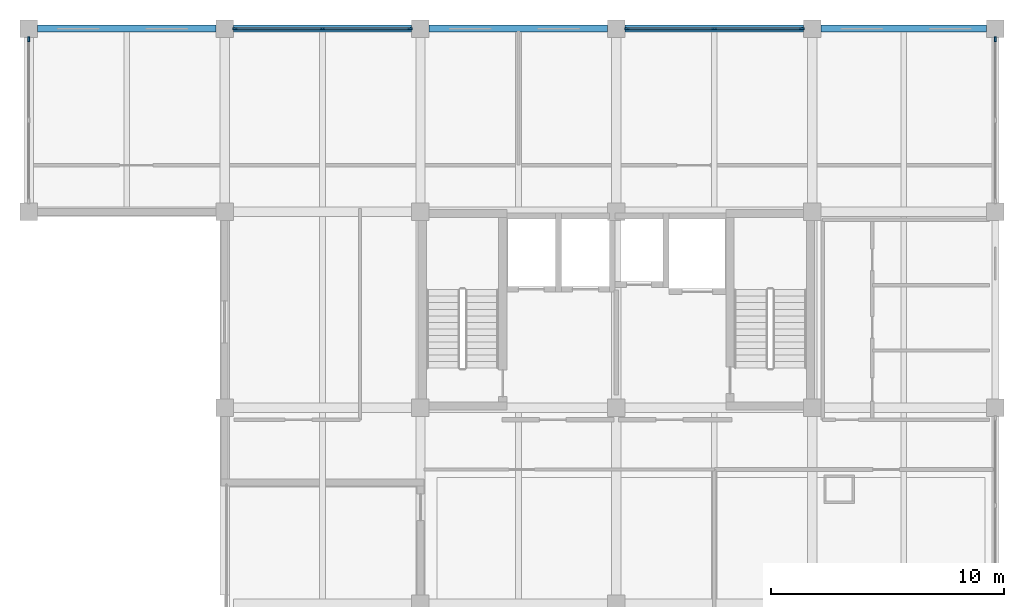
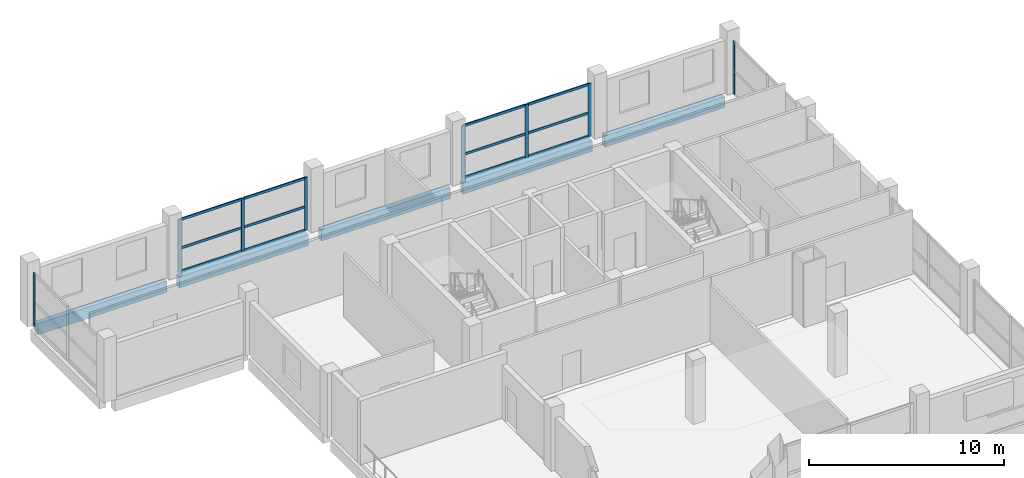
# One storey, part 5 of 10: 20 members, 5 beams, 4 elements without a shape of their own.
"""IFC4 building model written with IfcOpenShell, lengths in metres."""

from ifc_helpers import new_model, si_unit, direction, frame, origin, origin_2d, place, context, subcontext, project, spatial, rectangle, extrude, material, material_profile, profile_set, type_object, element, aggregate, save


model = new_model("IFC4")

# Units and contexts
model_context = context("Model", 3, precision=1e-05, world=origin(), true_north=direction((0.0, 1.0)))
body_context = subcontext(model_context, "Body", "Model", "MODEL_VIEW")
ifc_project = project(units=[si_unit("LENGTHUNIT", "METRE"), si_unit("AREAUNIT", "SQUARE_METRE"), si_unit("VOLUMEUNIT", "CUBIC_METRE"), si_unit("PLANEANGLEUNIT", "RADIAN"), si_unit("MASSUNIT", "GRAM", prefix="KILO")], contexts=[model_context])

# Site, building, storey
site_placement = place(None, origin())
site = spatial("IfcSite", under=ifc_project, at=site_placement, CompositionType="ELEMENT")
building_placement = place(site_placement, origin())
building = spatial("IfcBuilding", under=site, at=building_placement, Name="Brinegate Botanical Conservatory", CompositionType="ELEMENT")
storey_placement = place(building_placement, frame((0.0, 0.0, 44.39990234375)))
storey = spatial("IfcBuildingStorey", under=building, at=storey_placement, Name="L11", CompositionType="ELEMENT", Elevation=44.39990234375)

# Beams
ifc_material_1 = material(Name="Concrete C40/50", Category="concrete")
ifc_material_profile_1 = material_profile(ifc_material_1, rectangle(XDim=0.300048828125, YDim=0.699951171875, at=origin_2d()), Name="RC SPN 300x700")
ifc_profile_set_1 = profile_set([ifc_material_profile_1], Name="Concrete C40/50")
beam_type = type_object("IfcBeamType", Name="Beam_SP-02", PredefinedType="SPANDREL", material=ifc_profile_set_1)
beam_1_placement = place(storey_placement, frame((122.375, 111.449951171875, -0.5498046875), z_axis=(1.0, 0.0, 0.0), x_axis=(0.0, 1.0, 0.0)))
element("IfcBeam", 1, at=beam_1_placement, inside=storey, type_object=beam_type, Name="Beam SP-02 L11 P:16-17", PredefinedType="SPANDREL", context=body_context, shape_type="SweptSolid", body=[
    extrude(rectangle(XDim=0.300048828125, YDim=0.699951171875, at=origin_2d()), origin(), (0.0, 0.0, 1.0), 7.64990234375),
])
beam_2_placement = place(storey_placement, frame((130.77490234375, 111.449951171875, -0.5498046875), z_axis=(1.0, 0.0, 0.0), x_axis=(0.0, 1.0, 0.0)))
element("IfcBeam", 2, at=beam_2_placement, inside=storey, type_object=beam_type, Name="Beam SP-02 L11 P:17-18", PredefinedType="SPANDREL", context=body_context, shape_type="SweptSolid", body=[
    extrude(rectangle(XDim=0.300048828125, YDim=0.699951171875, at=origin_2d()), origin(), (0.0, 0.0, 1.0), 7.650146484375),
])
beam_3_placement = place(storey_placement, frame((139.175048828125, 111.449951171875, -0.5498046875), z_axis=(1.0, 0.0, 0.0), x_axis=(0.0, 1.0, 0.0)))
element("IfcBeam", 3, at=beam_3_placement, inside=storey, type_object=beam_type, Name="Beam SP-02 L11 P:18-19", PredefinedType="SPANDREL", context=body_context, shape_type="SweptSolid", body=[
    extrude(rectangle(XDim=0.300048828125, YDim=0.699951171875, at=origin_2d()), origin(), (0.0, 0.0, 1.0), 7.64990234375),
])
beam_4_placement = place(storey_placement, frame((147.574951171875, 111.449951171875, -0.5498046875), z_axis=(1.0, 0.0, 0.0), x_axis=(0.0, 1.0, 0.0)))
element("IfcBeam", 4, at=beam_4_placement, inside=storey, type_object=beam_type, Name="Beam SP-02 L11 P:19-20", PredefinedType="SPANDREL", context=body_context, shape_type="SweptSolid", body=[
    extrude(rectangle(XDim=0.300048828125, YDim=0.699951171875, at=origin_2d()), origin(), (0.0, 0.0, 1.0), 7.650146484375),
])
beam_5_placement = place(storey_placement, frame((155.97509765625, 111.449951171875, -0.5498046875), z_axis=(1.0, 0.0, 0.0), x_axis=(0.0, 1.0, 0.0)))
element("IfcBeam", 5, at=beam_5_placement, inside=storey, type_object=beam_type, Name="Beam SP-02 L11 P:20-21", PredefinedType="SPANDREL", context=body_context, shape_type="SweptSolid", body=[
    extrude(rectangle(XDim=0.300048828125, YDim=0.699951171875, at=origin_2d()), origin(), (0.0, 0.0, 1.0), 7.099853515625),
])

# Curtain wall, members
ifc_material_2 = material(Name="Thermally broken anodised aluminium AW-6063-T6", Category="aluminium")
curtain_wall_type = type_object("IfcCurtainWallType", Name="CW_CW-TW1", PredefinedType="USERDEFINED", material=ifc_material_2)
curtain_wall_1_placement = place(storey_placement, origin())
curtain_wall_1 = element("IfcCurtainWall", 6, at=curtain_wall_1_placement, inside=storey, type_object=curtain_wall_type, Name="Research lab north curtain wall L11.2", ObjectType="FACTORY CURTAIN WALL", PredefinedType="USERDEFINED")
ifc_material_profile_2 = material_profile(ifc_material_2, rectangle(XDim=0.070068359375, YDim=0.199951171875, at=origin_2d()), Name="ALUM MULLION 70x200")
ifc_profile_set_2 = profile_set([ifc_material_profile_2], Name="Thermally broken anodised aluminium AW-6063-T6")
member_type_1 = type_object("IfcMemberType", Name="Member_ML-03", PredefinedType="MULLION", material=ifc_profile_set_2)
member_1_placement = place(storey_placement, frame((130.85009765625, 111.449951171875, 0.0), z_axis=(0.0, 0.0, 1.0), x_axis=(0.0, 1.0, 0.0)))
member_1 = element("IfcMember", 7, at=member_1_placement, type_object=member_type_1, Name="CW-TW1 mullion 1", PredefinedType="MULLION", context=body_context, shape_type="SweptSolid", body=[
    extrude(rectangle(XDim=0.070068359375, YDim=0.199951171875, at=origin_2d()), origin(), (0.0, 0.0, 1.0), 3.31005859375),
])
member_2_placement = place(storey_placement, frame((134.60009765625, 111.449951171875, 0.0), z_axis=(0.0, 0.0, 1.0), x_axis=(0.0, 1.0, 0.0)))
member_2 = element("IfcMember", 8, at=member_2_placement, type_object=member_type_1, Name="CW-TW1 mullion 2", PredefinedType="MULLION", context=body_context, shape_type="SweptSolid", body=[
    extrude(rectangle(XDim=0.070068359375, YDim=0.199951171875, at=origin_2d()), origin(), (0.0, 0.0, 1.0), 3.31005859375),
])
member_3_placement = place(storey_placement, frame((138.35009765625, 111.449951171875, 0.0), z_axis=(0.0, 0.0, 1.0), x_axis=(0.0, 1.0, 0.0)))
member_3 = element("IfcMember", 9, at=member_3_placement, type_object=member_type_1, Name="CW-TW1 mullion 3", PredefinedType="MULLION", context=body_context, shape_type="SweptSolid", body=[
    extrude(rectangle(XDim=0.070068359375, YDim=0.199951171875, at=origin_2d()), origin(), (0.0, 0.0, 1.0), 3.31005859375),
])

curtain_wall_2_placement = place(storey_placement, origin())
curtain_wall_2 = element("IfcCurtainWall", 10, at=curtain_wall_2_placement, inside=storey, type_object=curtain_wall_type, Name="Research lab north curtain wall L11.4", ObjectType="FACTORY CURTAIN WALL", PredefinedType="USERDEFINED")
member_4_placement = place(storey_placement, frame((147.64990234375, 111.449951171875, 0.0), z_axis=(0.0, 0.0, 1.0), x_axis=(0.0, 1.0, 0.0)))
member_4 = element("IfcMember", 11, at=member_4_placement, type_object=member_type_1, Name="CW-TW1 mullion 1", PredefinedType="MULLION", context=body_context, shape_type="SweptSolid", body=[
    extrude(rectangle(XDim=0.070068359375, YDim=0.199951171875, at=origin_2d()), origin(), (0.0, 0.0, 1.0), 3.31005859375),
])
member_5_placement = place(storey_placement, frame((151.39990234375, 111.449951171875, 0.0), z_axis=(0.0, 0.0, 1.0), x_axis=(0.0, 1.0, 0.0)))
member_5 = element("IfcMember", 12, at=member_5_placement, type_object=member_type_1, Name="CW-TW1 mullion 2", PredefinedType="MULLION", context=body_context, shape_type="SweptSolid", body=[
    extrude(rectangle(XDim=0.070068359375, YDim=0.199951171875, at=origin_2d()), origin(), (0.0, 0.0, 1.0), 3.31005859375),
])
member_6_placement = place(storey_placement, frame((155.14990234375, 111.449951171875, 0.0), z_axis=(0.0, 0.0, 1.0), x_axis=(0.0, 1.0, 0.0)))
member_6 = element("IfcMember", 13, at=member_6_placement, type_object=member_type_1, Name="CW-TW1 mullion 3", PredefinedType="MULLION", context=body_context, shape_type="SweptSolid", body=[
    extrude(rectangle(XDim=0.070068359375, YDim=0.199951171875, at=origin_2d()), origin(), (0.0, 0.0, 1.0), 3.31005859375),
])

# Curtain wall, member
curtain_wall_3_placement = place(storey_placement, origin())
curtain_wall_3 = element("IfcCurtainWall", 14, at=curtain_wall_3_placement, inside=storey, type_object=curtain_wall_type, Name="Tower east curtain wall L11.4", ObjectType="FACTORY CURTAIN WALL", PredefinedType="USERDEFINED")
member_7_placement = place(storey_placement, frame((163.449951171875, 111.0, 0.0), z_axis=(0.0, 0.0, 1.0), x_axis=(1.0, 0.0, 0.0)))
member_7 = element("IfcMember", 15, at=member_7_placement, type_object=member_type_1, Name="CW-TW1 mullion 1", PredefinedType="MULLION", context=body_context, shape_type="SweptSolid", body=[
    extrude(rectangle(XDim=0.070068359375, YDim=0.199951171875, at=origin_2d()), origin(), (0.0, 0.0, 1.0), 3.31005859375),
])
aggregate(curtain_wall_3, [member_7])

curtain_wall_4_placement = place(storey_placement, origin())
curtain_wall_4 = element("IfcCurtainWall", 16, at=curtain_wall_4_placement, inside=storey, type_object=curtain_wall_type, Name="Tower north-west curtain wall L11", ObjectType="FACTORY CURTAIN WALL", PredefinedType="USERDEFINED")
member_8_placement = place(storey_placement, frame((122.0, 111.0, 0.0), z_axis=(0.0, 0.0, 1.0), x_axis=(-1.0, 0.0, 0.0)))
member_8 = element("IfcMember", 17, at=member_8_placement, type_object=member_type_1, Name="CW-TW1 mullion 3", PredefinedType="MULLION", context=body_context, shape_type="SweptSolid", body=[
    extrude(rectangle(XDim=0.070068359375, YDim=0.199951171875, at=origin_2d()), origin(), (0.0, 0.0, 1.0), 3.31005859375),
])
aggregate(curtain_wall_4, [member_8])

# Member
ifc_material_profile_3 = material_profile(ifc_material_2, rectangle(XDim=0.070068359375, YDim=0.14990234375, at=origin_2d()), Name="ALUM TRANSOM 70x150")
ifc_profile_set_3 = profile_set([ifc_material_profile_3], Name="Thermally broken anodised aluminium AW-6063-T6")
member_type_2 = type_object("IfcMemberType", Name="Member_TR-03", PredefinedType="USERDEFINED", material=ifc_profile_set_3)
member_9_placement = place(storey_placement, frame((130.885009765625, 111.449951171875, 0.03515625), z_axis=(1.0, 0.0, 0.0), x_axis=(0.0, 1.0, 0.0)))
member_9 = element("IfcMember", 18, at=member_9_placement, type_object=member_type_2, Name="CW-TW1 transom 1.1", ObjectType="TRANSOM", PredefinedType="USERDEFINED", context=body_context, shape_type="SweptSolid", body=[
    extrude(rectangle(XDim=0.070068359375, YDim=0.14990234375, at=origin_2d()), origin(), (0.0, 0.0, 1.0), 3.679931640625),
])

member_10_placement = place(storey_placement, frame((130.885009765625, 111.449951171875, 1.489013671875), z_axis=(1.0, 0.0, 0.0), x_axis=(0.0, 1.0, 0.0)))
member_10 = element("IfcMember", 19, at=member_10_placement, type_object=member_type_2, Name="CW-TW1 transom 1.2", ObjectType="TRANSOM", PredefinedType="USERDEFINED", context=body_context, shape_type="SweptSolid", body=[
    extrude(rectangle(XDim=0.070068359375, YDim=0.14990234375, at=origin_2d()), origin(), (0.0, 0.0, 1.0), 3.679931640625),
])

member_11_placement = place(storey_placement, frame((130.885009765625, 111.449951171875, 3.275146484375), z_axis=(1.0, 0.0, 0.0), x_axis=(0.0, 1.0, 0.0)))
member_11 = element("IfcMember", 20, at=member_11_placement, type_object=member_type_2, Name="CW-TW1 transom 1.3", ObjectType="TRANSOM", PredefinedType="USERDEFINED", context=body_context, shape_type="SweptSolid", body=[
    extrude(rectangle(XDim=0.070068359375, YDim=0.14990234375, at=origin_2d()), origin(), (0.0, 0.0, 1.0), 3.679931640625),
])

member_12_placement = place(storey_placement, frame((134.635009765625, 111.449951171875, 0.03515625), z_axis=(1.0, 0.0, 0.0), x_axis=(0.0, 1.0, 0.0)))
member_12 = element("IfcMember", 21, at=member_12_placement, type_object=member_type_2, Name="CW-TW1 transom 2.1", ObjectType="TRANSOM", PredefinedType="USERDEFINED", context=body_context, shape_type="SweptSolid", body=[
    extrude(rectangle(XDim=0.070068359375, YDim=0.14990234375, at=origin_2d()), origin(), (0.0, 0.0, 1.0), 3.679931640625),
])

member_13_placement = place(storey_placement, frame((134.635009765625, 111.449951171875, 1.489013671875), z_axis=(1.0, 0.0, 0.0), x_axis=(0.0, 1.0, 0.0)))
member_13 = element("IfcMember", 22, at=member_13_placement, type_object=member_type_2, Name="CW-TW1 transom 2.2", ObjectType="TRANSOM", PredefinedType="USERDEFINED", context=body_context, shape_type="SweptSolid", body=[
    extrude(rectangle(XDim=0.070068359375, YDim=0.14990234375, at=origin_2d()), origin(), (0.0, 0.0, 1.0), 3.679931640625),
])

member_14_placement = place(storey_placement, frame((134.635009765625, 111.449951171875, 3.275146484375), z_axis=(1.0, 0.0, 0.0), x_axis=(0.0, 1.0, 0.0)))
member_14 = element("IfcMember", 23, at=member_14_placement, type_object=member_type_2, Name="CW-TW1 transom 2.3", ObjectType="TRANSOM", PredefinedType="USERDEFINED", context=body_context, shape_type="SweptSolid", body=[
    extrude(rectangle(XDim=0.070068359375, YDim=0.14990234375, at=origin_2d()), origin(), (0.0, 0.0, 1.0), 3.679931640625),
])

aggregate(curtain_wall_1, [member_1, member_2, member_3, member_9, member_10, member_11, member_12, member_13, member_14])

member_15_placement = place(storey_placement, frame((147.68505859375, 111.449951171875, 0.03515625), z_axis=(1.0, 0.0, 0.0), x_axis=(0.0, 1.0, 0.0)))
member_15 = element("IfcMember", 24, at=member_15_placement, type_object=member_type_2, Name="CW-TW1 transom 1.1", ObjectType="TRANSOM", PredefinedType="USERDEFINED", context=body_context, shape_type="SweptSolid", body=[
    extrude(rectangle(XDim=0.070068359375, YDim=0.14990234375, at=origin_2d()), origin(), (0.0, 0.0, 1.0), 3.679931640625),
])

member_16_placement = place(storey_placement, frame((147.68505859375, 111.449951171875, 1.489013671875), z_axis=(1.0, 0.0, 0.0), x_axis=(0.0, 1.0, 0.0)))
member_16 = element("IfcMember", 25, at=member_16_placement, type_object=member_type_2, Name="CW-TW1 transom 1.2", ObjectType="TRANSOM", PredefinedType="USERDEFINED", context=body_context, shape_type="SweptSolid", body=[
    extrude(rectangle(XDim=0.070068359375, YDim=0.14990234375, at=origin_2d()), origin(), (0.0, 0.0, 1.0), 3.679931640625),
])

member_17_placement = place(storey_placement, frame((147.68505859375, 111.449951171875, 3.275146484375), z_axis=(1.0, 0.0, 0.0), x_axis=(0.0, 1.0, 0.0)))
member_17 = element("IfcMember", 26, at=member_17_placement, type_object=member_type_2, Name="CW-TW1 transom 1.3", ObjectType="TRANSOM", PredefinedType="USERDEFINED", context=body_context, shape_type="SweptSolid", body=[
    extrude(rectangle(XDim=0.070068359375, YDim=0.14990234375, at=origin_2d()), origin(), (0.0, 0.0, 1.0), 3.679931640625),
])

member_18_placement = place(storey_placement, frame((151.43505859375, 111.449951171875, 0.03515625), z_axis=(1.0, 0.0, 0.0), x_axis=(0.0, 1.0, 0.0)))
member_18 = element("IfcMember", 27, at=member_18_placement, type_object=member_type_2, Name="CW-TW1 transom 2.1", ObjectType="TRANSOM", PredefinedType="USERDEFINED", context=body_context, shape_type="SweptSolid", body=[
    extrude(rectangle(XDim=0.070068359375, YDim=0.14990234375, at=origin_2d()), origin(), (0.0, 0.0, 1.0), 3.679931640625),
])

member_19_placement = place(storey_placement, frame((151.43505859375, 111.449951171875, 1.489013671875), z_axis=(1.0, 0.0, 0.0), x_axis=(0.0, 1.0, 0.0)))
member_19 = element("IfcMember", 28, at=member_19_placement, type_object=member_type_2, Name="CW-TW1 transom 2.2", ObjectType="TRANSOM", PredefinedType="USERDEFINED", context=body_context, shape_type="SweptSolid", body=[
    extrude(rectangle(XDim=0.070068359375, YDim=0.14990234375, at=origin_2d()), origin(), (0.0, 0.0, 1.0), 3.679931640625),
])

member_20_placement = place(storey_placement, frame((151.43505859375, 111.449951171875, 3.275146484375), z_axis=(1.0, 0.0, 0.0), x_axis=(0.0, 1.0, 0.0)))
member_20 = element("IfcMember", 29, at=member_20_placement, type_object=member_type_2, Name="CW-TW1 transom 2.3", ObjectType="TRANSOM", PredefinedType="USERDEFINED", context=body_context, shape_type="SweptSolid", body=[
    extrude(rectangle(XDim=0.070068359375, YDim=0.14990234375, at=origin_2d()), origin(), (0.0, 0.0, 1.0), 3.679931640625),
])

aggregate(curtain_wall_2, [member_4, member_5, member_6, member_15, member_16, member_17, member_18, member_19, member_20])

save(model, "model.ifc")
